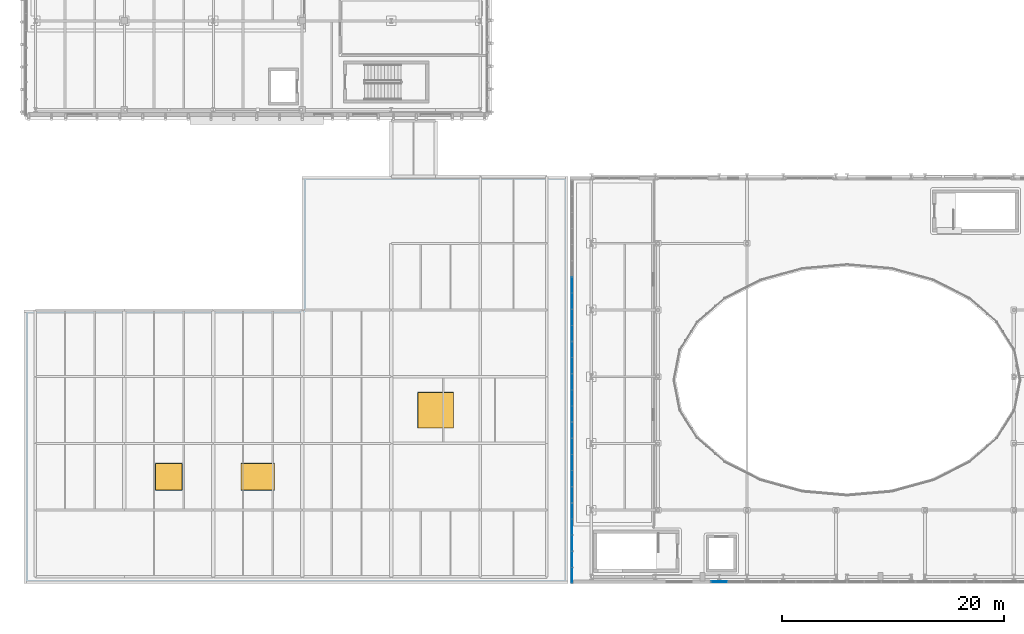
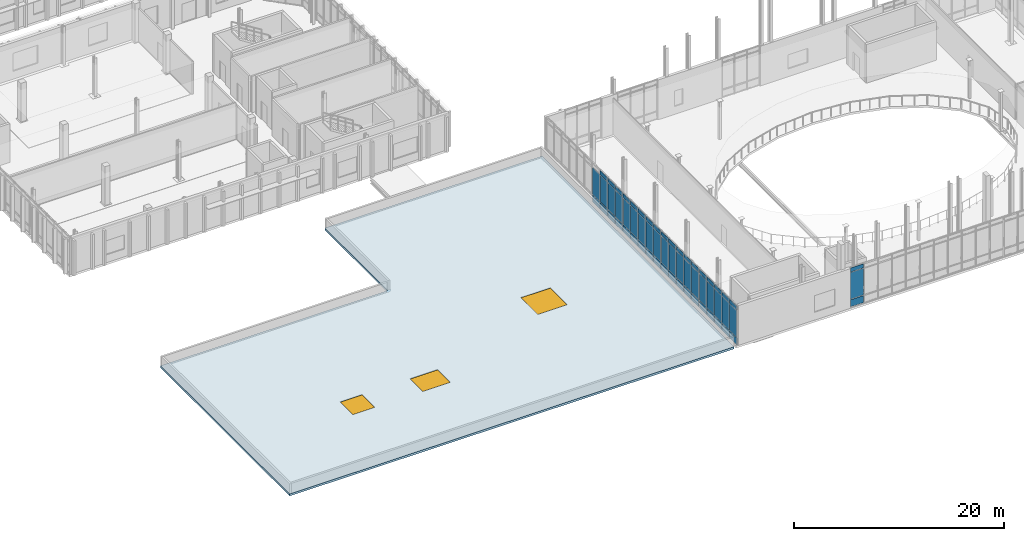
# One storey, part 44 of 86: 59 plates, 3 windows, 1 slab, 3 openings, 5 elements without a shape of their own.
"""IFC4 building model written with IfcOpenShell, lengths in metres."""

from ifc_helpers import new_model, si_unit, direction, frame, origin, origin_2d, place, context, subcontext, project, spatial, polyline, rectangle, outline, extrude, material, layer, layer_set, type_object, element, fill, aggregate, save


model = new_model("IFC4")

# Units and contexts
model_context = context("Model", 3, precision=1e-05, world=origin(), true_north=direction((0.0, 1.0)))
body_context = subcontext(model_context, "Body", "Model", "MODEL_VIEW")
ifc_project = project(units=[si_unit("LENGTHUNIT", "METRE"), si_unit("AREAUNIT", "SQUARE_METRE"), si_unit("VOLUMEUNIT", "CUBIC_METRE"), si_unit("PLANEANGLEUNIT", "RADIAN"), si_unit("MASSUNIT", "GRAM", prefix="KILO")], contexts=[model_context])

# Site, building, storey
site_placement = place(None, origin())
site = spatial("IfcSite", under=ifc_project, at=site_placement, CompositionType="ELEMENT")
building_placement = place(site_placement, origin())
building = spatial("IfcBuilding", under=site, at=building_placement, Name="Cymarion Research Institute", CompositionType="ELEMENT")
storey_placement = place(building_placement, frame((0.0, 0.0, 13.800048828125)))
storey = spatial("IfcBuildingStorey", under=building, at=storey_placement, Name="L03", CompositionType="ELEMENT", Elevation=13.800048828125)

# Curtain wall, plates
ifc_material_1 = material(Name="Anodised aluminium unitised curtain wall with Low-E glazing", Category="aluminium")
curtain_wall_type_1 = type_object("IfcCurtainWallType", Name="UNITISED CURTAIN WALL CW27 6150X4620", PredefinedType="NOTDEFINED", material=ifc_material_1)
curtain_wall_1_placement = place(storey_placement, origin())
curtain_wall_1 = element("IfcCurtainWall", 1, at=curtain_wall_1_placement, inside=storey, type_object=curtain_wall_type_1, Name="L03 V2 unitised curtain wall CW27 #131", PredefinedType="NOTDEFINED")
ifc_material_2 = material(Name="Insulated anodised aluminium spandrel panel", Category="aluminium")
ifc_layer_1 = layer(ifc_material_2, 0.06005859375)
ifc_layer_set_1 = layer_set([ifc_layer_1], Name="Insulated anodised aluminium spandrel panel")
plate_type_1 = type_object("IfcPlateType", Name="INSULATED ALUMINIUM SPANDREL PANEL SP01 60MM", PredefinedType="SHEET", material=ifc_layer_set_1)
plate_1_placement = place(storey_placement, frame((68.084716796875, 5.06005859375, 0.059814453125), z_axis=(0.0, 0.0, 1.0), x_axis=(1.0, 0.0, 0.0)))
plate_1 = element("IfcPlate", 2, at=plate_1_placement, type_object=plate_type_1, Name="CW27 panel 1.1", PredefinedType="SHEET", context=body_context, shape_type="SweptSolid", body=[
    extrude(rectangle(XDim=1.447265625, YDim=0.06005859375, at=origin_2d()), origin(), (0.0, 0.0, 1.0), 0.81005859375),
])
plate_2_placement = place(storey_placement, frame((68.084716796875, 5.06005859375, 4.099853515625), z_axis=(0.0, 0.0, 1.0), x_axis=(1.0, 0.0, 0.0)))
plate_2 = element("IfcPlate", 3, at=plate_2_placement, type_object=plate_type_1, Name="CW27 panel 1.3", PredefinedType="SHEET", context=body_context, shape_type="SweptSolid", body=[
    extrude(rectangle(XDim=1.447265625, YDim=0.06005859375, at=origin_2d()), origin(), (0.0, 0.0, 1.0), 0.4599609375),
])

curtain_wall_type_2 = type_object("IfcCurtainWallType", Name="UNITISED CURTAIN WALL CW34 7260X4620", PredefinedType="NOTDEFINED", material=ifc_material_1)
curtain_wall_2_placement = place(storey_placement, origin())
curtain_wall_2 = element("IfcCurtainWall", 4, at=curtain_wall_2_placement, inside=storey, type_object=curtain_wall_type_2, Name="L03 V2 unitised curtain wall CW34 #148", PredefinedType="NOTDEFINED")
plate_3_placement = place(storey_placement, frame((54.860107421875, 31.747314453125, 0.059814453125), z_axis=(0.0, 0.0, 1.0), x_axis=(0.0, -1.0, 0.0)))
plate_3 = element("IfcPlate", 5, at=plate_3_placement, type_object=plate_type_1, Name="CW34 panel 2.1", PredefinedType="SHEET", context=body_context, shape_type="SweptSolid", body=[
    extrude(rectangle(XDim=1.39111328125, YDim=0.06005859375, at=origin_2d()), origin(), (0.0, 0.0, 1.0), 0.81005859375),
])
plate_4_placement = place(storey_placement, frame((54.860107421875, 30.2958984375, 0.059814453125), z_axis=(0.0, 0.0, 1.0), x_axis=(0.0, -1.0, 0.0)))
plate_4 = element("IfcPlate", 6, at=plate_4_placement, type_object=plate_type_1, Name="CW34 panel 3.1", PredefinedType="SHEET", context=body_context, shape_type="SweptSolid", body=[
    extrude(rectangle(XDim=1.39111328125, YDim=0.06005859375, at=origin_2d()), origin(), (0.0, 0.0, 1.0), 0.81005859375),
])
plate_5_placement = place(storey_placement, frame((54.860107421875, 30.2958984375, 4.099853515625), z_axis=(0.0, 0.0, 1.0), x_axis=(0.0, -1.0, 0.0)))
plate_5 = element("IfcPlate", 7, at=plate_5_placement, type_object=plate_type_1, Name="CW34 panel 3.3", PredefinedType="SHEET", context=body_context, shape_type="SweptSolid", body=[
    extrude(rectangle(XDim=1.39111328125, YDim=0.06005859375, at=origin_2d()), origin(), (0.0, 0.0, 1.0), 0.4599609375),
])
plate_6_placement = place(storey_placement, frame((54.860107421875, 28.8447265625, 0.059814453125), z_axis=(0.0, 0.0, 1.0), x_axis=(0.0, -1.0, 0.0)))
plate_6 = element("IfcPlate", 8, at=plate_6_placement, type_object=plate_type_1, Name="CW34 panel 4.1", PredefinedType="SHEET", context=body_context, shape_type="SweptSolid", body=[
    extrude(rectangle(XDim=1.39111328125, YDim=0.06005859375, at=origin_2d()), origin(), (0.0, 0.0, 1.0), 0.81005859375),
])
plate_7_placement = place(storey_placement, frame((54.860107421875, 28.8447265625, 4.099853515625), z_axis=(0.0, 0.0, 1.0), x_axis=(0.0, -1.0, 0.0)))
plate_7 = element("IfcPlate", 9, at=plate_7_placement, type_object=plate_type_1, Name="CW34 panel 4.3", PredefinedType="SHEET", context=body_context, shape_type="SweptSolid", body=[
    extrude(rectangle(XDim=1.39111328125, YDim=0.06005859375, at=origin_2d()), origin(), (0.0, 0.0, 1.0), 0.4599609375),
])
plate_8_placement = place(storey_placement, frame((54.860107421875, 27.40869140625, 0.059814453125), z_axis=(0.0, 0.0, 1.0), x_axis=(0.0, -1.0, 0.0)))
plate_8 = element("IfcPlate", 10, at=plate_8_placement, type_object=plate_type_1, Name="CW34 panel 5.1", PredefinedType="SHEET", context=body_context, shape_type="SweptSolid", body=[
    extrude(rectangle(XDim=1.361083984375, YDim=0.06005859375, at=origin_2d()), origin(), (0.0, 0.0, 1.0), 0.81005859375),
])
plate_9_placement = place(storey_placement, frame((54.860107421875, 27.40869140625, 4.099853515625), z_axis=(0.0, 0.0, 1.0), x_axis=(0.0, -1.0, 0.0)))
plate_9 = element("IfcPlate", 11, at=plate_9_placement, type_object=plate_type_1, Name="CW34 panel 5.3", PredefinedType="SHEET", context=body_context, shape_type="SweptSolid", body=[
    extrude(rectangle(XDim=1.361083984375, YDim=0.06005859375, at=origin_2d()), origin(), (0.0, 0.0, 1.0), 0.4599609375),
])

curtain_wall_3_placement = place(storey_placement, origin())
curtain_wall_3 = element("IfcCurtainWall", 12, at=curtain_wall_3_placement, inside=storey, type_object=curtain_wall_type_2, Name="L03 V2 unitised curtain wall CW34 #149", PredefinedType="NOTDEFINED")
plate_10_placement = place(storey_placement, frame((54.860107421875, 25.927490234375, 0.059814453125), z_axis=(0.0, 0.0, 1.0), x_axis=(0.0, -1.0, 0.0)))
plate_10 = element("IfcPlate", 13, at=plate_10_placement, type_object=plate_type_1, Name="CW34 panel 1.1", PredefinedType="SHEET", context=body_context, shape_type="SweptSolid", body=[
    extrude(rectangle(XDim=1.361083984375, YDim=0.06005859375, at=origin_2d()), origin(), (0.0, 0.0, 1.0), 0.81005859375),
])
plate_11_placement = place(storey_placement, frame((54.860107421875, 25.927490234375, 4.099853515625), z_axis=(0.0, 0.0, 1.0), x_axis=(0.0, -1.0, 0.0)))
plate_11 = element("IfcPlate", 14, at=plate_11_placement, type_object=plate_type_1, Name="CW34 panel 1.3", PredefinedType="SHEET", context=body_context, shape_type="SweptSolid", body=[
    extrude(rectangle(XDim=1.361083984375, YDim=0.06005859375, at=origin_2d()), origin(), (0.0, 0.0, 1.0), 0.4599609375),
])
plate_12_placement = place(storey_placement, frame((54.860107421875, 24.4912109375, 0.059814453125), z_axis=(0.0, 0.0, 1.0), x_axis=(0.0, -1.0, 0.0)))
plate_12 = element("IfcPlate", 15, at=plate_12_placement, type_object=plate_type_1, Name="CW34 panel 2.1", PredefinedType="SHEET", context=body_context, shape_type="SweptSolid", body=[
    extrude(rectangle(XDim=1.39111328125, YDim=0.06005859375, at=origin_2d()), origin(), (0.0, 0.0, 1.0), 0.81005859375),
])
plate_13_placement = place(storey_placement, frame((54.860107421875, 24.4912109375, 4.099853515625), z_axis=(0.0, 0.0, 1.0), x_axis=(0.0, -1.0, 0.0)))
plate_13 = element("IfcPlate", 16, at=plate_13_placement, type_object=plate_type_1, Name="CW34 panel 2.3", PredefinedType="SHEET", context=body_context, shape_type="SweptSolid", body=[
    extrude(rectangle(XDim=1.39111328125, YDim=0.06005859375, at=origin_2d()), origin(), (0.0, 0.0, 1.0), 0.4599609375),
])
plate_14_placement = place(storey_placement, frame((54.860107421875, 23.0400390625, 0.059814453125), z_axis=(0.0, 0.0, 1.0), x_axis=(0.0, -1.0, 0.0)))
plate_14 = element("IfcPlate", 17, at=plate_14_placement, type_object=plate_type_1, Name="CW34 panel 3.1", PredefinedType="SHEET", context=body_context, shape_type="SweptSolid", body=[
    extrude(rectangle(XDim=1.39111328125, YDim=0.06005859375, at=origin_2d()), origin(), (0.0, 0.0, 1.0), 0.81005859375),
])
plate_15_placement = place(storey_placement, frame((54.860107421875, 23.0400390625, 4.099853515625), z_axis=(0.0, 0.0, 1.0), x_axis=(0.0, -1.0, 0.0)))
plate_15 = element("IfcPlate", 18, at=plate_15_placement, type_object=plate_type_1, Name="CW34 panel 3.3", PredefinedType="SHEET", context=body_context, shape_type="SweptSolid", body=[
    extrude(rectangle(XDim=1.39111328125, YDim=0.06005859375, at=origin_2d()), origin(), (0.0, 0.0, 1.0), 0.4599609375),
])
plate_16_placement = place(storey_placement, frame((54.860107421875, 21.5888671875, 0.059814453125), z_axis=(0.0, 0.0, 1.0), x_axis=(0.0, -1.0, 0.0)))
plate_16 = element("IfcPlate", 19, at=plate_16_placement, type_object=plate_type_1, Name="CW34 panel 4.1", PredefinedType="SHEET", context=body_context, shape_type="SweptSolid", body=[
    extrude(rectangle(XDim=1.39111328125, YDim=0.06005859375, at=origin_2d()), origin(), (0.0, 0.0, 1.0), 0.81005859375),
])
plate_17_placement = place(storey_placement, frame((54.860107421875, 21.5888671875, 4.099853515625), z_axis=(0.0, 0.0, 1.0), x_axis=(0.0, -1.0, 0.0)))
plate_17 = element("IfcPlate", 20, at=plate_17_placement, type_object=plate_type_1, Name="CW34 panel 4.3", PredefinedType="SHEET", context=body_context, shape_type="SweptSolid", body=[
    extrude(rectangle(XDim=1.39111328125, YDim=0.06005859375, at=origin_2d()), origin(), (0.0, 0.0, 1.0), 0.4599609375),
])
plate_18_placement = place(storey_placement, frame((54.860107421875, 20.152587890625, 0.059814453125), z_axis=(0.0, 0.0, 1.0), x_axis=(0.0, -1.0, 0.0)))
plate_18 = element("IfcPlate", 21, at=plate_18_placement, type_object=plate_type_1, Name="CW34 panel 5.1", PredefinedType="SHEET", context=body_context, shape_type="SweptSolid", body=[
    extrude(rectangle(XDim=1.361083984375, YDim=0.06005859375, at=origin_2d()), origin(), (0.0, 0.0, 1.0), 0.81005859375),
])
plate_19_placement = place(storey_placement, frame((54.860107421875, 20.152587890625, 4.099853515625), z_axis=(0.0, 0.0, 1.0), x_axis=(0.0, -1.0, 0.0)))
plate_19 = element("IfcPlate", 22, at=plate_19_placement, type_object=plate_type_1, Name="CW34 panel 5.3", PredefinedType="SHEET", context=body_context, shape_type="SweptSolid", body=[
    extrude(rectangle(XDim=1.361083984375, YDim=0.06005859375, at=origin_2d()), origin(), (0.0, 0.0, 1.0), 0.4599609375),
])

curtain_wall_4_placement = place(storey_placement, origin())
curtain_wall_4 = element("IfcCurtainWall", 23, at=curtain_wall_4_placement, inside=storey, type_object=curtain_wall_type_2, Name="L03 V2 unitised curtain wall CW34 #150", PredefinedType="NOTDEFINED")
plate_20_placement = place(storey_placement, frame((54.860107421875, 18.67138671875, 0.059814453125), z_axis=(0.0, 0.0, 1.0), x_axis=(0.0, -1.0, 0.0)))
plate_20 = element("IfcPlate", 24, at=plate_20_placement, type_object=plate_type_1, Name="CW34 panel 1.1", PredefinedType="SHEET", context=body_context, shape_type="SweptSolid", body=[
    extrude(rectangle(XDim=1.361083984375, YDim=0.06005859375, at=origin_2d()), origin(), (0.0, 0.0, 1.0), 0.81005859375),
])
plate_21_placement = place(storey_placement, frame((54.860107421875, 18.67138671875, 4.099853515625), z_axis=(0.0, 0.0, 1.0), x_axis=(0.0, -1.0, 0.0)))
plate_21 = element("IfcPlate", 25, at=plate_21_placement, type_object=plate_type_1, Name="CW34 panel 1.3", PredefinedType="SHEET", context=body_context, shape_type="SweptSolid", body=[
    extrude(rectangle(XDim=1.361083984375, YDim=0.06005859375, at=origin_2d()), origin(), (0.0, 0.0, 1.0), 0.4599609375),
])
plate_22_placement = place(storey_placement, frame((54.860107421875, 17.235107421875, 0.059814453125), z_axis=(0.0, 0.0, 1.0), x_axis=(0.0, -1.0, 0.0)))
plate_22 = element("IfcPlate", 26, at=plate_22_placement, type_object=plate_type_1, Name="CW34 panel 2.1", PredefinedType="SHEET", context=body_context, shape_type="SweptSolid", body=[
    extrude(rectangle(XDim=1.39111328125, YDim=0.06005859375, at=origin_2d()), origin(), (0.0, 0.0, 1.0), 0.81005859375),
])
plate_23_placement = place(storey_placement, frame((54.860107421875, 17.235107421875, 4.099853515625), z_axis=(0.0, 0.0, 1.0), x_axis=(0.0, -1.0, 0.0)))
plate_23 = element("IfcPlate", 27, at=plate_23_placement, type_object=plate_type_1, Name="CW34 panel 2.3", PredefinedType="SHEET", context=body_context, shape_type="SweptSolid", body=[
    extrude(rectangle(XDim=1.39111328125, YDim=0.06005859375, at=origin_2d()), origin(), (0.0, 0.0, 1.0), 0.4599609375),
])
plate_24_placement = place(storey_placement, frame((54.860107421875, 15.783935546875, 0.059814453125), z_axis=(0.0, 0.0, 1.0), x_axis=(0.0, -1.0, 0.0)))
plate_24 = element("IfcPlate", 28, at=plate_24_placement, type_object=plate_type_1, Name="CW34 panel 3.1", PredefinedType="SHEET", context=body_context, shape_type="SweptSolid", body=[
    extrude(rectangle(XDim=1.39111328125, YDim=0.06005859375, at=origin_2d()), origin(), (0.0, 0.0, 1.0), 0.81005859375),
])
plate_25_placement = place(storey_placement, frame((54.860107421875, 15.783935546875, 4.099853515625), z_axis=(0.0, 0.0, 1.0), x_axis=(0.0, -1.0, 0.0)))
plate_25 = element("IfcPlate", 29, at=plate_25_placement, type_object=plate_type_1, Name="CW34 panel 3.3", PredefinedType="SHEET", context=body_context, shape_type="SweptSolid", body=[
    extrude(rectangle(XDim=1.39111328125, YDim=0.06005859375, at=origin_2d()), origin(), (0.0, 0.0, 1.0), 0.4599609375),
])
plate_26_placement = place(storey_placement, frame((54.860107421875, 14.332763671875, 0.059814453125), z_axis=(0.0, 0.0, 1.0), x_axis=(0.0, -1.0, 0.0)))
plate_26 = element("IfcPlate", 30, at=plate_26_placement, type_object=plate_type_1, Name="CW34 panel 4.1", PredefinedType="SHEET", context=body_context, shape_type="SweptSolid", body=[
    extrude(rectangle(XDim=1.39111328125, YDim=0.06005859375, at=origin_2d()), origin(), (0.0, 0.0, 1.0), 0.81005859375),
])
plate_27_placement = place(storey_placement, frame((54.860107421875, 14.332763671875, 4.099853515625), z_axis=(0.0, 0.0, 1.0), x_axis=(0.0, -1.0, 0.0)))
plate_27 = element("IfcPlate", 31, at=plate_27_placement, type_object=plate_type_1, Name="CW34 panel 4.3", PredefinedType="SHEET", context=body_context, shape_type="SweptSolid", body=[
    extrude(rectangle(XDim=1.39111328125, YDim=0.06005859375, at=origin_2d()), origin(), (0.0, 0.0, 1.0), 0.4599609375),
])
plate_28_placement = place(storey_placement, frame((54.860107421875, 12.896484375, 0.059814453125), z_axis=(0.0, 0.0, 1.0), x_axis=(0.0, -1.0, 0.0)))
plate_28 = element("IfcPlate", 32, at=plate_28_placement, type_object=plate_type_1, Name="CW34 panel 5.1", PredefinedType="SHEET", context=body_context, shape_type="SweptSolid", body=[
    extrude(rectangle(XDim=1.361083984375, YDim=0.06005859375, at=origin_2d()), origin(), (0.0, 0.0, 1.0), 0.81005859375),
])
plate_29_placement = place(storey_placement, frame((54.860107421875, 12.896484375, 4.099853515625), z_axis=(0.0, 0.0, 1.0), x_axis=(0.0, -1.0, 0.0)))
plate_29 = element("IfcPlate", 33, at=plate_29_placement, type_object=plate_type_1, Name="CW34 panel 5.3", PredefinedType="SHEET", context=body_context, shape_type="SweptSolid", body=[
    extrude(rectangle(XDim=1.361083984375, YDim=0.06005859375, at=origin_2d()), origin(), (0.0, 0.0, 1.0), 0.4599609375),
])

curtain_wall_5_placement = place(storey_placement, origin())
curtain_wall_5 = element("IfcCurtainWall", 34, at=curtain_wall_5_placement, inside=storey, type_object=curtain_wall_type_2, Name="L03 V2 unitised curtain wall CW34 #151", PredefinedType="NOTDEFINED")
plate_30_placement = place(storey_placement, frame((54.860107421875, 11.415283203125, 0.059814453125), z_axis=(0.0, 0.0, 1.0), x_axis=(0.0, -1.0, 0.0)))
plate_30 = element("IfcPlate", 35, at=plate_30_placement, type_object=plate_type_1, Name="CW34 panel 1.1", PredefinedType="SHEET", context=body_context, shape_type="SweptSolid", body=[
    extrude(rectangle(XDim=1.361083984375, YDim=0.06005859375, at=origin_2d()), origin(), (0.0, 0.0, 1.0), 0.81005859375),
])
plate_31_placement = place(storey_placement, frame((54.860107421875, 11.415283203125, 4.099853515625), z_axis=(0.0, 0.0, 1.0), x_axis=(0.0, -1.0, 0.0)))
plate_31 = element("IfcPlate", 36, at=plate_31_placement, type_object=plate_type_1, Name="CW34 panel 1.3", PredefinedType="SHEET", context=body_context, shape_type="SweptSolid", body=[
    extrude(rectangle(XDim=1.361083984375, YDim=0.06005859375, at=origin_2d()), origin(), (0.0, 0.0, 1.0), 0.4599609375),
])
plate_32_placement = place(storey_placement, frame((54.860107421875, 9.979248046875, 0.059814453125), z_axis=(0.0, 0.0, 1.0), x_axis=(0.0, -1.0, 0.0)))
plate_32 = element("IfcPlate", 37, at=plate_32_placement, type_object=plate_type_1, Name="CW34 panel 2.1", PredefinedType="SHEET", context=body_context, shape_type="SweptSolid", body=[
    extrude(rectangle(XDim=1.39111328125, YDim=0.06005859375, at=origin_2d()), origin(), (0.0, 0.0, 1.0), 0.81005859375),
])
plate_33_placement = place(storey_placement, frame((54.860107421875, 9.979248046875, 4.099853515625), z_axis=(0.0, 0.0, 1.0), x_axis=(0.0, -1.0, 0.0)))
plate_33 = element("IfcPlate", 38, at=plate_33_placement, type_object=plate_type_1, Name="CW34 panel 2.3", PredefinedType="SHEET", context=body_context, shape_type="SweptSolid", body=[
    extrude(rectangle(XDim=1.39111328125, YDim=0.06005859375, at=origin_2d()), origin(), (0.0, 0.0, 1.0), 0.4599609375),
])
plate_34_placement = place(storey_placement, frame((54.860107421875, 8.528076171875, 0.059814453125), z_axis=(0.0, 0.0, 1.0), x_axis=(0.0, -1.0, 0.0)))
plate_34 = element("IfcPlate", 39, at=plate_34_placement, type_object=plate_type_1, Name="CW34 panel 3.1", PredefinedType="SHEET", context=body_context, shape_type="SweptSolid", body=[
    extrude(rectangle(XDim=1.39111328125, YDim=0.06005859375, at=origin_2d()), origin(), (0.0, 0.0, 1.0), 0.81005859375),
])
plate_35_placement = place(storey_placement, frame((54.860107421875, 8.528076171875, 4.099853515625), z_axis=(0.0, 0.0, 1.0), x_axis=(0.0, -1.0, 0.0)))
plate_35 = element("IfcPlate", 40, at=plate_35_placement, type_object=plate_type_1, Name="CW34 panel 3.3", PredefinedType="SHEET", context=body_context, shape_type="SweptSolid", body=[
    extrude(rectangle(XDim=1.39111328125, YDim=0.06005859375, at=origin_2d()), origin(), (0.0, 0.0, 1.0), 0.4599609375),
])
plate_36_placement = place(storey_placement, frame((54.860107421875, 7.076904296875, 0.059814453125), z_axis=(0.0, 0.0, 1.0), x_axis=(0.0, -1.0, 0.0)))
plate_36 = element("IfcPlate", 41, at=plate_36_placement, type_object=plate_type_1, Name="CW34 panel 4.1", PredefinedType="SHEET", context=body_context, shape_type="SweptSolid", body=[
    extrude(rectangle(XDim=1.39111328125, YDim=0.06005859375, at=origin_2d()), origin(), (0.0, 0.0, 1.0), 0.81005859375),
])
plate_37_placement = place(storey_placement, frame((54.860107421875, 7.076904296875, 4.099853515625), z_axis=(0.0, 0.0, 1.0), x_axis=(0.0, -1.0, 0.0)))
plate_37 = element("IfcPlate", 42, at=plate_37_placement, type_object=plate_type_1, Name="CW34 panel 4.3", PredefinedType="SHEET", context=body_context, shape_type="SweptSolid", body=[
    extrude(rectangle(XDim=1.39111328125, YDim=0.06005859375, at=origin_2d()), origin(), (0.0, 0.0, 1.0), 0.4599609375),
])
plate_38_placement = place(storey_placement, frame((54.860107421875, 5.640625, 0.059814453125), z_axis=(0.0, 0.0, 1.0), x_axis=(0.0, -1.0, 0.0)))
plate_38 = element("IfcPlate", 43, at=plate_38_placement, type_object=plate_type_1, Name="CW34 panel 5.1", PredefinedType="SHEET", context=body_context, shape_type="SweptSolid", body=[
    extrude(rectangle(XDim=1.361083984375, YDim=0.06005859375, at=origin_2d()), origin(), (0.0, 0.0, 1.0), 0.81005859375),
])
plate_39_placement = place(storey_placement, frame((54.860107421875, 5.640625, 4.099853515625), z_axis=(0.0, 0.0, 1.0), x_axis=(0.0, -1.0, 0.0)))
plate_39 = element("IfcPlate", 44, at=plate_39_placement, type_object=plate_type_1, Name="CW34 panel 5.3", PredefinedType="SHEET", context=body_context, shape_type="SweptSolid", body=[
    extrude(rectangle(XDim=1.361083984375, YDim=0.06005859375, at=origin_2d()), origin(), (0.0, 0.0, 1.0), 0.4599609375),
])

# Slab, openings, windows
ifc_material_3 = material(Name="Concrete C35/45", Category="concrete")
ifc_layer_2 = layer(ifc_material_3, 0.239990234375)
ifc_layer_set_2 = layer_set([ifc_layer_2], Name="Concrete C35/45")
slab_type = type_object("IfcSlabType", Name="ROOF SLAB SL-RF240 240MM", PredefinedType="ROOF", material=ifc_layer_set_2)
slab_placement = place(storey_placement, frame((0.0, 0.0, -0.239990234375)))
slab = element("IfcSlab", 45, at=slab_placement, inside=storey, type_object=slab_type, Name="L03 insulated flat roof deck ROOF-L03-V3W", PredefinedType="ROOF", context=body_context, shape_type="SweptSolid", body=[
    extrude(outline(polyline([(5.60009765625, 4.89990234375), (54.5, 4.89990234375), (54.5, 41.5), (30.60009765625, 41.5), (30.60009765625, 29.5), (5.60009765625, 29.5), (5.60009765625, 4.89990234375)]), holes=[polyline([(17.39990234375, 13.300048828125), (17.39990234375, 15.699951171875), (19.800048828125, 15.699951171875), (19.800048828125, 13.300048828125), (17.39990234375, 13.300048828125)]), polyline([(25.10009765625, 13.300048828125), (25.10009765625, 15.699951171875), (28.10009765625, 15.699951171875), (28.10009765625, 13.300048828125), (25.10009765625, 13.300048828125)]), polyline([(41.0, 18.89990234375), (41.0, 22.10009765625), (44.199951171875, 22.10009765625), (44.199951171875, 18.89990234375), (41.0, 18.89990234375)])]), origin(), (0.0, 0.0, 1.0), 0.239990234375),
])
opening_1_placement = place(slab_placement, frame((18.60009765625, 14.5, 0.0)))
opening_1 = element("IfcOpeningElement", 46, at=opening_1_placement, cuts=slab, Name="Opening SKY1", PredefinedType="OPENING", context=body_context, shape_type="SweptSolid", body=[
    extrude(rectangle(XDim=2.39990234375, YDim=2.39990234375, at=origin_2d()), frame((0.0, 0.0, -0.010009765625)), (0.0, 0.0, 1.0), 0.260009765625),
])
opening_2_placement = place(slab_placement, frame((26.60009765625, 14.5, 0.0)))
opening_2 = element("IfcOpeningElement", 47, at=opening_2_placement, cuts=slab, Name="Opening SKY2", PredefinedType="OPENING", context=body_context, shape_type="SweptSolid", body=[
    extrude(rectangle(XDim=3.0, YDim=2.39990234375, at=origin_2d()), frame((0.0, 0.0, -0.010009765625)), (0.0, 0.0, 1.0), 0.260009765625),
])
opening_3_placement = place(slab_placement, frame((42.60009765625, 20.5, 0.0)))
opening_3 = element("IfcOpeningElement", 48, at=opening_3_placement, cuts=slab, Name="Opening SKY3", PredefinedType="OPENING", context=body_context, shape_type="SweptSolid", body=[
    extrude(rectangle(XDim=3.199951171875, YDim=3.199951171875, at=origin_2d()), frame((0.0, 0.0, -0.010009765625)), (0.0, 0.0, 1.0), 0.260009765625),
])
ifc_material_4 = material(Name="Thermally broken aluminium skylight with laminated Low-E glass", Category="aluminium")
window_type_1 = type_object("IfcWindowType", Name="INSULATED ALUMINIUM ROOF SKYLIGHT SKY1 2400X2400", PartitioningType="SINGLE_PANEL", PredefinedType="SKYLIGHT", material=ifc_material_4)
window_1_placement = place(opening_1_placement, frame((0.0, 0.0, 0.18994140625)))
window_1 = element("IfcWindow", 49, at=window_1_placement, inside=storey, type_object=window_type_1, Name="L03 insulated roof skylight SKY1 #1", OverallHeight=2.39990234375, OverallWidth=2.39990234375, PartitioningType="SINGLE_PANEL", PredefinedType="SKYLIGHT", context=body_context, shape_type="SweptSolid", body=[
    extrude(rectangle(XDim=2.39990234375, YDim=2.39990234375, at=origin_2d()), origin(), (0.0, 0.0, 1.0), 0.050048828125),
])
fill(opening_1, window_1)
window_type_2 = type_object("IfcWindowType", Name="INSULATED ALUMINIUM ROOF SKYLIGHT SKY2 3000X2400", PartitioningType="SINGLE_PANEL", PredefinedType="SKYLIGHT", material=ifc_material_4)
window_2_placement = place(opening_2_placement, frame((0.0, 0.0, 0.18994140625)))
window_2 = element("IfcWindow", 50, at=window_2_placement, inside=storey, type_object=window_type_2, Name="L03 insulated roof skylight SKY2 #2", OverallHeight=2.39990234375, OverallWidth=3.0, PartitioningType="SINGLE_PANEL", PredefinedType="SKYLIGHT", context=body_context, shape_type="SweptSolid", body=[
    extrude(rectangle(XDim=3.0, YDim=2.39990234375, at=origin_2d()), origin(), (0.0, 0.0, 1.0), 0.050048828125),
])
fill(opening_2, window_2)
window_type_3 = type_object("IfcWindowType", Name="INSULATED ALUMINIUM ROOF SKYLIGHT SKY3 3200X3200", PartitioningType="SINGLE_PANEL", PredefinedType="SKYLIGHT", material=ifc_material_4)
window_3_placement = place(opening_3_placement, frame((0.0, 0.0, 0.18994140625)))
window_3 = element("IfcWindow", 51, at=window_3_placement, inside=storey, type_object=window_type_3, Name="L03 insulated roof skylight SKY3 #3", OverallHeight=3.199951171875, OverallWidth=3.199951171875, PartitioningType="SINGLE_PANEL", PredefinedType="SKYLIGHT", context=body_context, shape_type="SweptSolid", body=[
    extrude(rectangle(XDim=3.199951171875, YDim=3.199951171875, at=origin_2d()), origin(), (0.0, 0.0, 1.0), 0.050048828125),
])
fill(opening_3, window_3)

# Plate
ifc_material_5 = material(Name="Low-E double solar-control glazing", Category="glass")
ifc_layer_3 = layer(ifc_material_5, 0.035888671875)
ifc_layer_set_3 = layer_set([ifc_layer_3], Name="Low-E double solar-control glazing")
plate_type_2 = type_object("IfcPlateType", Name="SOLAR CONTROL GLAZED VISION PANEL GP01 36MM", PredefinedType="CURTAIN_PANEL", material=ifc_layer_set_3)
plate_40_placement = place(storey_placement, frame((68.084716796875, 5.06005859375, 0.9296875), z_axis=(0.0, 0.0, 1.0), x_axis=(1.0, 0.0, 0.0)))
plate_40 = element("IfcPlate", 52, at=plate_40_placement, type_object=plate_type_2, Name="CW27 panel 1.2", PredefinedType="CURTAIN_PANEL", context=body_context, shape_type="SweptSolid", body=[
    extrude(rectangle(XDim=1.447265625, YDim=0.035888671875, at=origin_2d()), origin(), (0.0, 0.0, 1.0), 3.110107421875),
])

aggregate(curtain_wall_1, [plate_1, plate_40, plate_2])

plate_41_placement = place(storey_placement, frame((54.860107421875, 31.747314453125, 0.9296875), z_axis=(0.0, 0.0, 1.0), x_axis=(0.0, -1.0, 0.0)))
plate_41 = element("IfcPlate", 53, at=plate_41_placement, type_object=plate_type_2, Name="CW34 panel 2.2", PredefinedType="CURTAIN_PANEL", context=body_context, shape_type="SweptSolid", body=[
    extrude(rectangle(XDim=1.39111328125, YDim=0.035888671875, at=origin_2d()), origin(), (0.0, 0.0, 1.0), 3.110107421875),
])

plate_42_placement = place(storey_placement, frame((54.860107421875, 30.2958984375, 0.9296875), z_axis=(0.0, 0.0, 1.0), x_axis=(0.0, -1.0, 0.0)))
plate_42 = element("IfcPlate", 54, at=plate_42_placement, type_object=plate_type_2, Name="CW34 panel 3.2", PredefinedType="CURTAIN_PANEL", context=body_context, shape_type="SweptSolid", body=[
    extrude(rectangle(XDim=1.39111328125, YDim=0.035888671875, at=origin_2d()), origin(), (0.0, 0.0, 1.0), 3.110107421875),
])

plate_43_placement = place(storey_placement, frame((54.860107421875, 28.8447265625, 0.9296875), z_axis=(0.0, 0.0, 1.0), x_axis=(0.0, -1.0, 0.0)))
plate_43 = element("IfcPlate", 55, at=plate_43_placement, type_object=plate_type_2, Name="CW34 panel 4.2", PredefinedType="CURTAIN_PANEL", context=body_context, shape_type="SweptSolid", body=[
    extrude(rectangle(XDim=1.39111328125, YDim=0.035888671875, at=origin_2d()), origin(), (0.0, 0.0, 1.0), 3.110107421875),
])

plate_44_placement = place(storey_placement, frame((54.860107421875, 27.40869140625, 0.9296875), z_axis=(0.0, 0.0, 1.0), x_axis=(0.0, -1.0, 0.0)))
plate_44 = element("IfcPlate", 56, at=plate_44_placement, type_object=plate_type_2, Name="CW34 panel 5.2", PredefinedType="CURTAIN_PANEL", context=body_context, shape_type="SweptSolid", body=[
    extrude(rectangle(XDim=1.361083984375, YDim=0.035888671875, at=origin_2d()), origin(), (0.0, 0.0, 1.0), 3.110107421875),
])

aggregate(curtain_wall_2, [plate_3, plate_41, plate_4, plate_42, plate_5, plate_6, plate_43, plate_7, plate_8, plate_44, plate_9])

plate_45_placement = place(storey_placement, frame((54.860107421875, 25.927490234375, 0.9296875), z_axis=(0.0, 0.0, 1.0), x_axis=(0.0, -1.0, 0.0)))
plate_45 = element("IfcPlate", 57, at=plate_45_placement, type_object=plate_type_2, Name="CW34 panel 1.2", PredefinedType="CURTAIN_PANEL", context=body_context, shape_type="SweptSolid", body=[
    extrude(rectangle(XDim=1.361083984375, YDim=0.035888671875, at=origin_2d()), origin(), (0.0, 0.0, 1.0), 3.110107421875),
])

plate_46_placement = place(storey_placement, frame((54.860107421875, 24.4912109375, 0.9296875), z_axis=(0.0, 0.0, 1.0), x_axis=(0.0, -1.0, 0.0)))
plate_46 = element("IfcPlate", 58, at=plate_46_placement, type_object=plate_type_2, Name="CW34 panel 2.2", PredefinedType="CURTAIN_PANEL", context=body_context, shape_type="SweptSolid", body=[
    extrude(rectangle(XDim=1.39111328125, YDim=0.035888671875, at=origin_2d()), origin(), (0.0, 0.0, 1.0), 3.110107421875),
])

plate_47_placement = place(storey_placement, frame((54.860107421875, 23.0400390625, 0.9296875), z_axis=(0.0, 0.0, 1.0), x_axis=(0.0, -1.0, 0.0)))
plate_47 = element("IfcPlate", 59, at=plate_47_placement, type_object=plate_type_2, Name="CW34 panel 3.2", PredefinedType="CURTAIN_PANEL", context=body_context, shape_type="SweptSolid", body=[
    extrude(rectangle(XDim=1.39111328125, YDim=0.035888671875, at=origin_2d()), origin(), (0.0, 0.0, 1.0), 3.110107421875),
])

plate_48_placement = place(storey_placement, frame((54.860107421875, 21.5888671875, 0.9296875), z_axis=(0.0, 0.0, 1.0), x_axis=(0.0, -1.0, 0.0)))
plate_48 = element("IfcPlate", 60, at=plate_48_placement, type_object=plate_type_2, Name="CW34 panel 4.2", PredefinedType="CURTAIN_PANEL", context=body_context, shape_type="SweptSolid", body=[
    extrude(rectangle(XDim=1.39111328125, YDim=0.035888671875, at=origin_2d()), origin(), (0.0, 0.0, 1.0), 3.110107421875),
])

plate_49_placement = place(storey_placement, frame((54.860107421875, 20.152587890625, 0.9296875), z_axis=(0.0, 0.0, 1.0), x_axis=(0.0, -1.0, 0.0)))
plate_49 = element("IfcPlate", 61, at=plate_49_placement, type_object=plate_type_2, Name="CW34 panel 5.2", PredefinedType="CURTAIN_PANEL", context=body_context, shape_type="SweptSolid", body=[
    extrude(rectangle(XDim=1.361083984375, YDim=0.035888671875, at=origin_2d()), origin(), (0.0, 0.0, 1.0), 3.110107421875),
])

aggregate(curtain_wall_3, [plate_10, plate_45, plate_11, plate_12, plate_46, plate_13, plate_14, plate_47, plate_15, plate_16, plate_48, plate_17, plate_18, plate_49, plate_19])

plate_50_placement = place(storey_placement, frame((54.860107421875, 18.67138671875, 0.9296875), z_axis=(0.0, 0.0, 1.0), x_axis=(0.0, -1.0, 0.0)))
plate_50 = element("IfcPlate", 62, at=plate_50_placement, type_object=plate_type_2, Name="CW34 panel 1.2", PredefinedType="CURTAIN_PANEL", context=body_context, shape_type="SweptSolid", body=[
    extrude(rectangle(XDim=1.361083984375, YDim=0.035888671875, at=origin_2d()), origin(), (0.0, 0.0, 1.0), 3.110107421875),
])

plate_51_placement = place(storey_placement, frame((54.860107421875, 17.235107421875, 0.9296875), z_axis=(0.0, 0.0, 1.0), x_axis=(0.0, -1.0, 0.0)))
plate_51 = element("IfcPlate", 63, at=plate_51_placement, type_object=plate_type_2, Name="CW34 panel 2.2", PredefinedType="CURTAIN_PANEL", context=body_context, shape_type="SweptSolid", body=[
    extrude(rectangle(XDim=1.39111328125, YDim=0.035888671875, at=origin_2d()), origin(), (0.0, 0.0, 1.0), 3.110107421875),
])

plate_52_placement = place(storey_placement, frame((54.860107421875, 15.783935546875, 0.9296875), z_axis=(0.0, 0.0, 1.0), x_axis=(0.0, -1.0, 0.0)))
plate_52 = element("IfcPlate", 64, at=plate_52_placement, type_object=plate_type_2, Name="CW34 panel 3.2", PredefinedType="CURTAIN_PANEL", context=body_context, shape_type="SweptSolid", body=[
    extrude(rectangle(XDim=1.39111328125, YDim=0.035888671875, at=origin_2d()), origin(), (0.0, 0.0, 1.0), 3.110107421875),
])

plate_53_placement = place(storey_placement, frame((54.860107421875, 14.332763671875, 0.9296875), z_axis=(0.0, 0.0, 1.0), x_axis=(0.0, -1.0, 0.0)))
plate_53 = element("IfcPlate", 65, at=plate_53_placement, type_object=plate_type_2, Name="CW34 panel 4.2", PredefinedType="CURTAIN_PANEL", context=body_context, shape_type="SweptSolid", body=[
    extrude(rectangle(XDim=1.39111328125, YDim=0.035888671875, at=origin_2d()), origin(), (0.0, 0.0, 1.0), 3.110107421875),
])

plate_54_placement = place(storey_placement, frame((54.860107421875, 12.896484375, 0.9296875), z_axis=(0.0, 0.0, 1.0), x_axis=(0.0, -1.0, 0.0)))
plate_54 = element("IfcPlate", 66, at=plate_54_placement, type_object=plate_type_2, Name="CW34 panel 5.2", PredefinedType="CURTAIN_PANEL", context=body_context, shape_type="SweptSolid", body=[
    extrude(rectangle(XDim=1.361083984375, YDim=0.035888671875, at=origin_2d()), origin(), (0.0, 0.0, 1.0), 3.110107421875),
])

aggregate(curtain_wall_4, [plate_20, plate_50, plate_21, plate_22, plate_51, plate_23, plate_24, plate_52, plate_25, plate_26, plate_53, plate_27, plate_28, plate_54, plate_29])

plate_55_placement = place(storey_placement, frame((54.860107421875, 11.415283203125, 0.9296875), z_axis=(0.0, 0.0, 1.0), x_axis=(0.0, -1.0, 0.0)))
plate_55 = element("IfcPlate", 67, at=plate_55_placement, type_object=plate_type_2, Name="CW34 panel 1.2", PredefinedType="CURTAIN_PANEL", context=body_context, shape_type="SweptSolid", body=[
    extrude(rectangle(XDim=1.361083984375, YDim=0.035888671875, at=origin_2d()), origin(), (0.0, 0.0, 1.0), 3.110107421875),
])

plate_56_placement = place(storey_placement, frame((54.860107421875, 9.979248046875, 0.9296875), z_axis=(0.0, 0.0, 1.0), x_axis=(0.0, -1.0, 0.0)))
plate_56 = element("IfcPlate", 68, at=plate_56_placement, type_object=plate_type_2, Name="CW34 panel 2.2", PredefinedType="CURTAIN_PANEL", context=body_context, shape_type="SweptSolid", body=[
    extrude(rectangle(XDim=1.39111328125, YDim=0.035888671875, at=origin_2d()), origin(), (0.0, 0.0, 1.0), 3.110107421875),
])

plate_57_placement = place(storey_placement, frame((54.860107421875, 8.528076171875, 0.9296875), z_axis=(0.0, 0.0, 1.0), x_axis=(0.0, -1.0, 0.0)))
plate_57 = element("IfcPlate", 69, at=plate_57_placement, type_object=plate_type_2, Name="CW34 panel 3.2", PredefinedType="CURTAIN_PANEL", context=body_context, shape_type="SweptSolid", body=[
    extrude(rectangle(XDim=1.39111328125, YDim=0.035888671875, at=origin_2d()), origin(), (0.0, 0.0, 1.0), 3.110107421875),
])

plate_58_placement = place(storey_placement, frame((54.860107421875, 7.076904296875, 0.9296875), z_axis=(0.0, 0.0, 1.0), x_axis=(0.0, -1.0, 0.0)))
plate_58 = element("IfcPlate", 70, at=plate_58_placement, type_object=plate_type_2, Name="CW34 panel 4.2", PredefinedType="CURTAIN_PANEL", context=body_context, shape_type="SweptSolid", body=[
    extrude(rectangle(XDim=1.39111328125, YDim=0.035888671875, at=origin_2d()), origin(), (0.0, 0.0, 1.0), 3.110107421875),
])

plate_59_placement = place(storey_placement, frame((54.860107421875, 5.640625, 0.9296875), z_axis=(0.0, 0.0, 1.0), x_axis=(0.0, -1.0, 0.0)))
plate_59 = element("IfcPlate", 71, at=plate_59_placement, type_object=plate_type_2, Name="CW34 panel 5.2", PredefinedType="CURTAIN_PANEL", context=body_context, shape_type="SweptSolid", body=[
    extrude(rectangle(XDim=1.361083984375, YDim=0.035888671875, at=origin_2d()), origin(), (0.0, 0.0, 1.0), 3.110107421875),
])

aggregate(curtain_wall_5, [plate_30, plate_55, plate_31, plate_32, plate_56, plate_33, plate_34, plate_57, plate_35, plate_36, plate_58, plate_37, plate_38, plate_59, plate_39])

save(model, "model.ifc")
